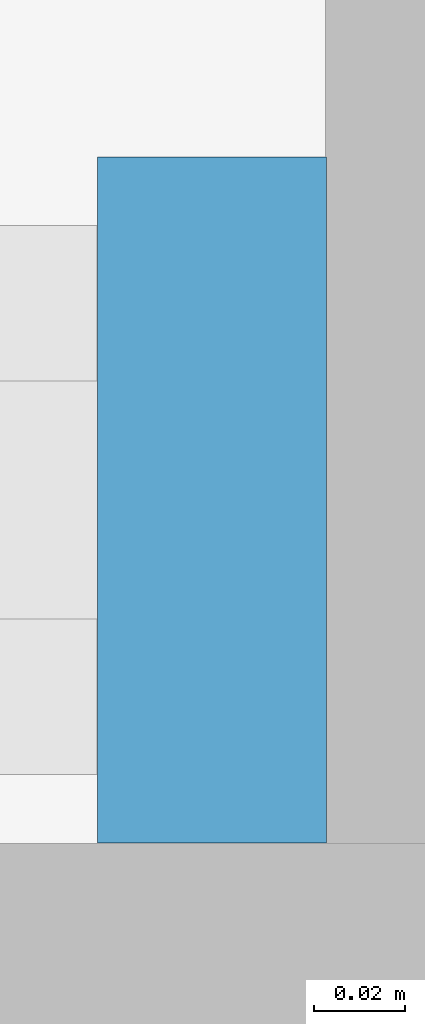
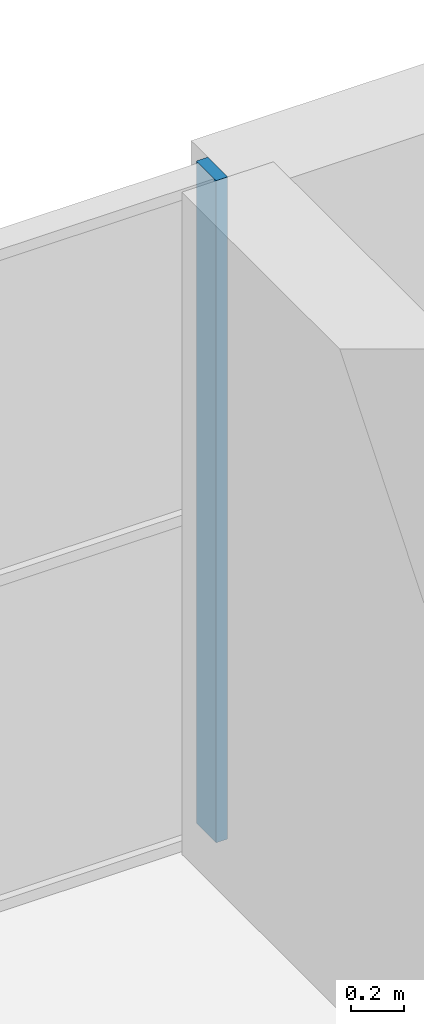
# One storey, part 5 of 21: 1 member, 1 element without a shape of its own.
"""IFC4 building model written with IfcOpenShell, lengths in metres."""

from ifc_helpers import new_model, si_unit, direction, frame, origin, origin_2d, place, context, subcontext, project, spatial, rectangle, extrude, material, layer, layer_set, material_profile, profile_set, type_object, element, aggregate, save


model = new_model("IFC4")

# Units and contexts
model_context = context("Model", 3, precision=1e-05, world=origin(), true_north=direction((0.0, 1.0)))
body_context = subcontext(model_context, "Body", "Model", "MODEL_VIEW")
ifc_project = project(units=[si_unit("LENGTHUNIT", "METRE"), si_unit("AREAUNIT", "SQUARE_METRE"), si_unit("VOLUMEUNIT", "CUBIC_METRE"), si_unit("PLANEANGLEUNIT", "RADIAN"), si_unit("MASSUNIT", "GRAM", prefix="KILO")], contexts=[model_context])

# Site, building, storey
site_placement = place(None, origin())
site = spatial("IfcSite", under=ifc_project, at=site_placement, CompositionType="ELEMENT")
building_placement = place(site_placement, origin())
building = spatial("IfcBuilding", under=site, at=building_placement, Name="Poui Terraces", CompositionType="ELEMENT")
storey_placement = place(building_placement, frame((0.0, 0.0, 53.10009765625)))
storey = spatial("IfcBuildingStorey", under=building, at=storey_placement, Name="L14", CompositionType="ELEMENT", Elevation=53.10009765625)

# Curtain wall, member
ifc_material_1 = material(Name="Clear glass", Category="glass")
ifc_layer = layer(ifc_material_1, 0.14990234375)
ifc_layer_set = layer_set([ifc_layer], Name="Clear glass")
curtain_wall_type = type_object("IfcCurtainWallType", Name="CURTAIN WALL CW-C COMMUNITY HALL GLAZING", PredefinedType="NOTDEFINED", material=ifc_layer_set)
curtain_wall_placement = place(storey_placement, origin())
curtain_wall = element("IfcCurtainWall", 1, at=curtain_wall_placement, inside=storey, type_object=curtain_wall_type, Name="CW-C COMMUNITY HALL GLAZING", PredefinedType="NOTDEFINED")
ifc_material_2 = material(Name="Aluminium frame", Category="aluminium")
ifc_material_profile = material_profile(ifc_material_2, rectangle(XDim=0.14990234375, YDim=0.050048828125, at=origin_2d()), Name="CW-C MULLION 50X150")
ifc_profile_set = profile_set([ifc_material_profile], Name="Aluminium frame")
member_type = type_object("IfcMemberType", Name="CW-C MULLION 50X150", PredefinedType="MULLION", material=ifc_profile_set)
member_placement = place(storey_placement, frame((65.97509765625, 44.800048828125, 0.0), z_axis=(0.0, 0.0, 1.0), x_axis=(0.0, -1.0, 0.0)))
member = element("IfcMember", 2, at=member_placement, type_object=member_type, Name="CW-C mullion 1", PredefinedType="MULLION", context=body_context, shape_type="SweptSolid", body=[
    extrude(rectangle(XDim=0.14990234375, YDim=0.050048828125, at=origin_2d()), origin(), (0.0, 0.0, 1.0), 3.0498046875),
])
aggregate(curtain_wall, [member])

save(model, "model.ifc")
